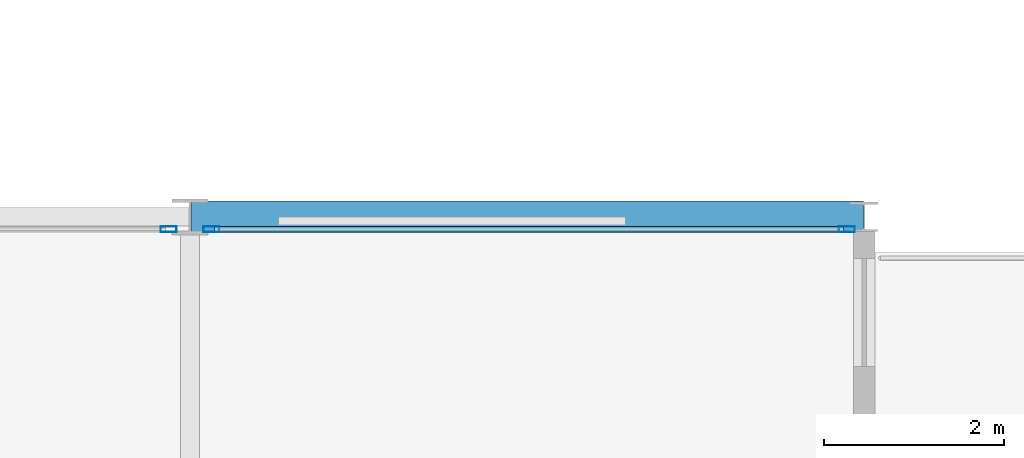
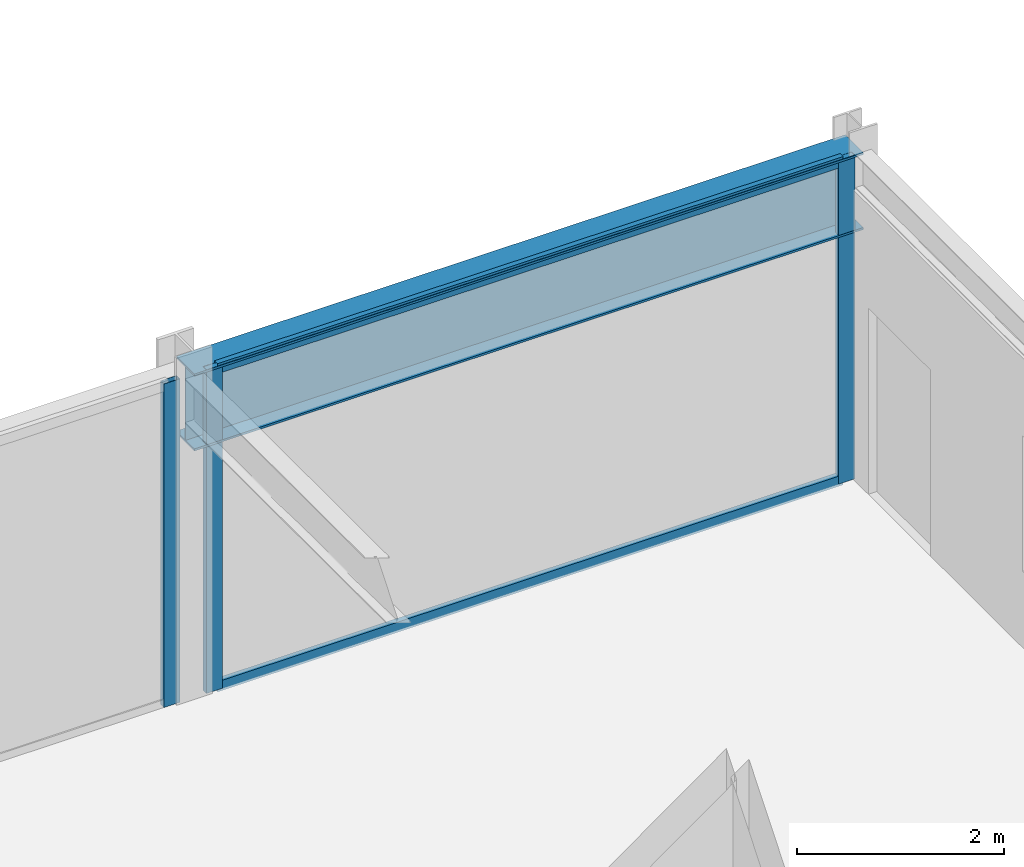
# One storey, part 22 of 38: 5 members, 1 beam, 2 elements without a shape of their own.
"""IFC4 building model written with IfcOpenShell, lengths in metres."""

from ifc_helpers import new_model, si_unit, direction, frame, origin, origin_2d, place, context, subcontext, project, spatial, hollow_rectangle, i_section, extrude, material, layer, layer_set, material_profile, profile_set, type_object, element, aggregate, save


model = new_model("IFC4")

# Units and contexts
model_context = context("Model", 3, precision=1e-05, world=origin(), true_north=direction((0.0, 1.0)))
body_context = subcontext(model_context, "Body", "Model", "MODEL_VIEW")
ifc_project = project(units=[si_unit("LENGTHUNIT", "METRE"), si_unit("AREAUNIT", "SQUARE_METRE"), si_unit("VOLUMEUNIT", "CUBIC_METRE"), si_unit("PLANEANGLEUNIT", "RADIAN"), si_unit("MASSUNIT", "GRAM", prefix="KILO")], contexts=[model_context])

# Site, building, storey
site_placement = place(None, origin())
site = spatial("IfcSite", under=ifc_project, at=site_placement, CompositionType="ELEMENT")
building_placement = place(site_placement, origin())
building = spatial("IfcBuilding", under=site, at=building_placement, Name="Nerrivon Quay Data Exchange", CompositionType="ELEMENT")
storey_placement = place(building_placement, frame((0.0, 0.0, 88.5)))
storey = spatial("IfcBuildingStorey", under=building, at=storey_placement, Name="L20", CompositionType="ELEMENT", Elevation=88.5)

# Beam
ifc_material_1 = material(Name="Steel Grade 350", Category="steel")
ifc_material_profile_1 = material_profile(ifc_material_1, i_section(OverallWidth=0.35009765625, OverallDepth=0.909912109375, WebThickness=0.011962890625, FlangeThickness=0.02490234375, at=origin_2d()), Name="900WB218")
ifc_profile_set_1 = profile_set([ifc_material_profile_1], Name="Steel Grade 350")
beam_type = type_object("IfcBeamType", Name="BM-CANT-900WB", PredefinedType="USERDEFINED", material=ifc_profile_set_1)
beam_placement = place(storey_placement, frame((50.41259765625, 25.199951171875, 3.3701171875), z_axis=(1.0, 0.0, 0.0), x_axis=(0.0, 1.0, 0.0)))
element("IfcBeam", 1, at=beam_placement, inside=storey, type_object=beam_type, Name="L20 East Hooked Cantilever Girder Y=25.2", ObjectType="TRANSFER", PredefinedType="USERDEFINED", context=body_context, shape_type="SweptSolid", body=[
    extrude(i_section(OverallWidth=0.35009765625, OverallDepth=0.909912109375, WebThickness=0.011962890625, FlangeThickness=0.02490234375, at=origin_2d()), origin(), (0.0, 0.0, 1.0), 7.4794921875),
])

# Curtain wall, member
ifc_material_2 = material(Name="Anodised aluminium 6063-T6", Category="aluminium")
ifc_layer_1 = layer(ifc_material_2, 0.2099609375)
ifc_layer_set_1 = layer_set([ifc_layer_1], Name="Anodised aluminium 6063-T6")
curtain_wall_type_1 = type_object("IfcCurtainWallType", Name="CW-SYS-02", PredefinedType="NOTDEFINED", material=ifc_layer_set_1)
curtain_wall_1_placement = place(storey_placement, origin())
curtain_wall_1 = element("IfcCurtainWall", 2, at=curtain_wall_1_placement, inside=storey, type_object=curtain_wall_type_1, Name="L20 Unitised Curtain Wall 34", PredefinedType="NOTDEFINED")
ifc_material_profile_2 = material_profile(ifc_material_2, hollow_rectangle(XDim=0.06494140625, YDim=0.179931640625, WallThickness=0.00341796875, at=origin_2d()), Name="ALU-MULL-180x65")
ifc_profile_set_2 = profile_set([ifc_material_profile_2], Name="Anodised aluminium 6063-T6")
member_type_1 = type_object("IfcMemberType", Name="CWM-180x65", PredefinedType="MULLION", material=ifc_profile_set_2)
member_1_placement = place(storey_placement, frame((50.16259765625, 25.06005859375, 0.0), z_axis=(0.0, 0.0, 1.0), x_axis=(0.0, 1.0, 0.0)))
member_1 = element("IfcMember", 3, at=member_1_placement, type_object=member_type_1, Name="CW02 mullion 2", PredefinedType="MULLION", context=body_context, shape_type="SweptSolid", body=[
    extrude(hollow_rectangle(XDim=0.06494140625, YDim=0.179931640625, WallThickness=0.00341796875, at=origin_2d()), origin(), (0.0, 0.0, 1.0), 3.824951171875),
])
aggregate(curtain_wall_1, [member_1])

# Curtain wall, members
ifc_layer_2 = layer(ifc_material_2, 0.199951171875)
ifc_layer_set_2 = layer_set([ifc_layer_2], Name="Anodised aluminium 6063-T6")
curtain_wall_type_2 = type_object("IfcCurtainWallType", Name="CW-SYS-04", PredefinedType="NOTDEFINED", material=ifc_layer_set_2)
curtain_wall_2_placement = place(storey_placement, origin())
curtain_wall_2 = element("IfcCurtainWall", 4, at=curtain_wall_2_placement, inside=storey, type_object=curtain_wall_type_2, Name="L20 Unitised Curtain Wall 35", PredefinedType="NOTDEFINED")
member_2_placement = place(storey_placement, frame((50.637451171875, 25.06005859375, 0.0), z_axis=(0.0, 0.0, 1.0), x_axis=(0.0, 1.0, 0.0)))
member_2 = element("IfcMember", 5, at=member_2_placement, type_object=member_type_1, Name="CW04 mullion 1", PredefinedType="MULLION", context=body_context, shape_type="SweptSolid", body=[
    extrude(hollow_rectangle(XDim=0.06494140625, YDim=0.179931640625, WallThickness=0.00341796875, at=origin_2d()), origin(), (0.0, 0.0, 1.0), 3.824951171875),
])
member_3_placement = place(storey_placement, frame((57.70703125, 25.06005859375, 0.0), z_axis=(0.0, 0.0, 1.0), x_axis=(0.0, 1.0, 0.0)))
member_3 = element("IfcMember", 6, at=member_3_placement, type_object=member_type_1, Name="CW04 mullion 2", PredefinedType="MULLION", context=body_context, shape_type="SweptSolid", body=[
    extrude(hollow_rectangle(XDim=0.06494140625, YDim=0.179931640625, WallThickness=0.00341796875, at=origin_2d()), origin(), (0.0, 0.0, 1.0), 3.824951171875),
])
ifc_material_profile_3 = material_profile(ifc_material_2, hollow_rectangle(XDim=0.06005859375, YDim=0.1201171875, WallThickness=0.003173828125, at=origin_2d()), Name="ALU-TRAN-120x60")
ifc_profile_set_3 = profile_set([ifc_material_profile_3], Name="Anodised aluminium 6063-T6")
member_type_2 = type_object("IfcMemberType", Name="CWT-120x60", PredefinedType="USERDEFINED", material=ifc_profile_set_3)
member_4_placement = place(storey_placement, frame((50.675048828125, 25.06005859375, 0.032470703125), z_axis=(1.0, 0.0, 0.0), x_axis=(0.0, 1.0, 0.0)))
member_4 = element("IfcMember", 7, at=member_4_placement, type_object=member_type_2, Name="CW04 transom 1.1", ObjectType="TRANSOM", PredefinedType="USERDEFINED", context=body_context, shape_type="SweptSolid", body=[
    extrude(hollow_rectangle(XDim=0.06005859375, YDim=0.1201171875, WallThickness=0.003173828125, at=origin_2d()), origin(), (0.0, 0.0, 1.0), 6.994384765625),
])
member_5_placement = place(storey_placement, frame((50.675048828125, 25.06005859375, 3.79248046875), z_axis=(1.0, 0.0, 0.0), x_axis=(0.0, 1.0, 0.0)))
member_5 = element("IfcMember", 8, at=member_5_placement, type_object=member_type_2, Name="CW04 transom 1.2", ObjectType="TRANSOM", PredefinedType="USERDEFINED", context=body_context, shape_type="SweptSolid", body=[
    extrude(hollow_rectangle(XDim=0.06005859375, YDim=0.1201171875, WallThickness=0.003173828125, at=origin_2d()), origin(), (0.0, 0.0, 1.0), 6.994384765625),
])
aggregate(curtain_wall_2, [member_2, member_3, member_4, member_5])

save(model, "model.ifc")
